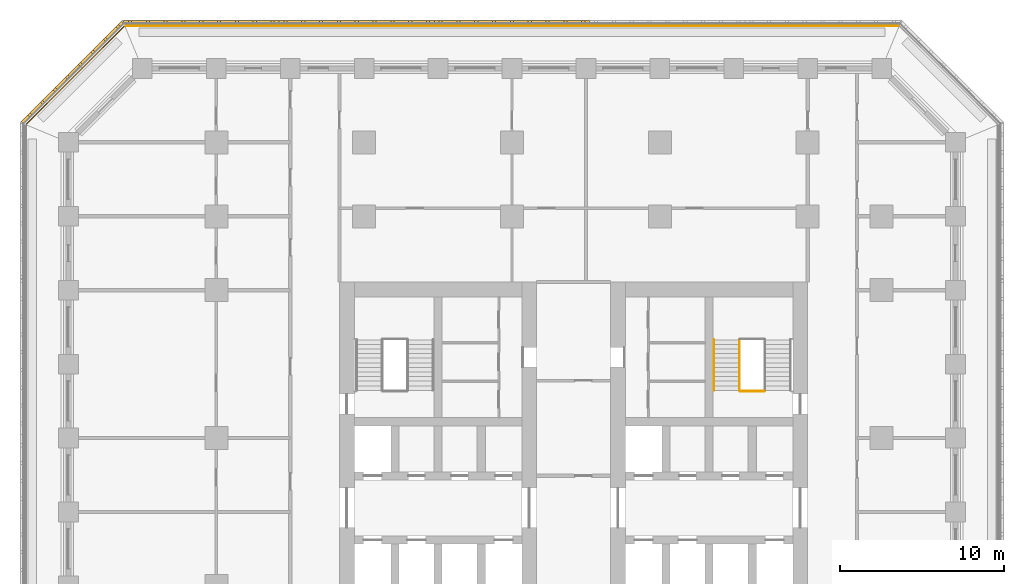
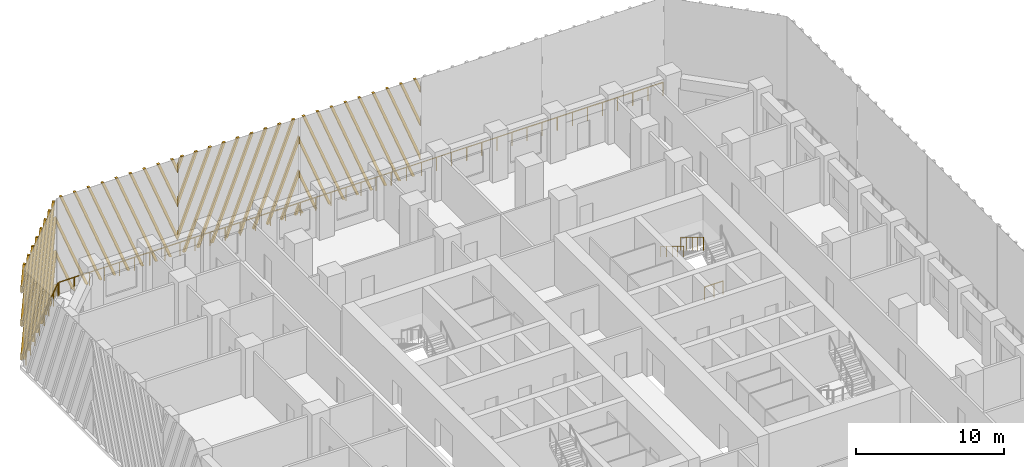
# One storey, part 16 of 19: 5 railings, 4 shading devices.
"""IFC4 building model written with IfcOpenShell, lengths in metres."""

from ifc_helpers import new_model, si_unit, direction, frame, origin, origin_2d, place, context, subcontext, project, spatial, polyline, circle, outline, extrude, source, transform, mapped, material, type_object, element, save


model = new_model("IFC4")

# Units and contexts
model_context = context("Model", 3, precision=1e-05, world=origin(), true_north=direction((0.0, 1.0)))
body_context = subcontext(model_context, "Body", "Model", "MODEL_VIEW")
ifc_project = project(units=[si_unit("LENGTHUNIT", "METRE"), si_unit("AREAUNIT", "SQUARE_METRE"), si_unit("VOLUMEUNIT", "CUBIC_METRE"), si_unit("PLANEANGLEUNIT", "RADIAN"), si_unit("MASSUNIT", "GRAM", prefix="KILO")], contexts=[model_context])

# Site, building, storey
site_placement = place(None, origin())
site = spatial("IfcSite", under=ifc_project, at=site_placement, CompositionType="ELEMENT")
building_placement = place(site_placement, origin())
building = spatial("IfcBuilding", under=site, at=building_placement, Name="Corbel Stack Research Tower", CompositionType="ELEMENT")
storey_placement = place(building_placement, frame((0.0, 0.0, 124.89990234375)))
storey = spatial("IfcBuildingStorey", under=building, at=storey_placement, Name="L28", CompositionType="ELEMENT", Elevation=124.89990234375)

# Railings
ifc_material_1 = material(Name="Steel S355", Category="steel")
railing_type_1 = type_object("IfcRailingType", Name="Stair guard 1100", PredefinedType="GUARDRAIL", material=ifc_material_1)
railing_1_placement = place(storey_placement, frame((13.85009765625, 14.97998046875, 2.220947265625)))
element("IfcRailing", 1, at=railing_1_placement, inside=storey, type_object=railing_type_1, Name="L28 ST-E2 stair guard 4", PredefinedType="GUARDRAIL", context=body_context, shape_type="SweptSolid", body=[
    extrude(circle(Radius=0.02392578125, at=origin_2d()), frame((0.0, 0.0, 1.076171875), z_axis=(0.0, -0.853666305674, 0.52082035152), x_axis=(1.0, 0.0, 0.0)), (0.0, 0.0, 1.0), 3.608154296875),
    extrude(circle(Radius=0.02099609375, at=origin_2d()), origin(), (0.0, 0.0, 1.0), 1.052001953125),
    extrude(circle(Radius=0.02099609375, at=origin_2d()), frame((0.0, -0.77001953125, 0.4697265625)), (0.0, 0.0, 1.0), 1.052001953125),
    extrude(circle(Radius=0.02099609375, at=origin_2d()), frame((0.0, -1.5400390625, 0.939453125)), (0.0, 0.0, 1.0), 1.052001953125),
    extrude(circle(Radius=0.02099609375, at=origin_2d()), frame((0.0, -2.31005859375, 1.409423828125)), (0.0, 0.0, 1.0), 1.052001953125),
    extrude(circle(Radius=0.02099609375, at=origin_2d()), frame((0.0, -3.080078125, 1.879150390625)), (0.0, 0.0, 1.0), 1.052001953125),
])
railing_2_placement = place(storey_placement, frame((15.35009765625, 11.85009765625, 0.0)))
element("IfcRailing", 2, at=railing_2_placement, inside=storey, type_object=railing_type_1, Name="L28 ST-E2 stair guard 5", PredefinedType="GUARDRAIL", context=body_context, shape_type="SweptSolid", body=[
    extrude(circle(Radius=0.02392578125, at=origin_2d()), frame((0.0, 0.0, 1.076171875), z_axis=(-1.0, 0.0, 0.0), x_axis=(0.0, -1.0, 0.0)), (0.0, 0.0, 1.0), 1.4501953125),
    extrude(circle(Radius=0.02099609375, at=origin_2d()), origin(), (0.0, 0.0, 1.0), 1.052001953125),
    extrude(circle(Radius=0.02099609375, at=origin_2d()), frame((-0.72509765625, 0.0, 0.0)), (0.0, 0.0, 1.0), 1.052001953125),
    extrude(circle(Radius=0.02099609375, at=origin_2d()), frame((-1.4501953125, 0.0, 0.0)), (0.0, 0.0, 1.0), 1.052001953125),
])
ifc_material_2 = material(Name="Steel S355", Category="steel")
railing_type_2 = type_object("IfcRailingType", Name="Stair handrail 900", PredefinedType="HANDRAIL", material=ifc_material_2)
railing_3_placement = place(storey_placement, frame((12.300048828125, 14.97998046875, 2.220947265625)))
element("IfcRailing", 3, at=railing_3_placement, inside=storey, type_object=railing_type_2, Name="L28 ST-E2 stair handrail 2", PredefinedType="HANDRAIL", context=body_context, shape_type="SweptSolid", body=[
    extrude(circle(Radius=0.02392578125, at=origin_2d()), frame((0.0, 0.0, 0.8759765625), z_axis=(0.0, -0.853666305674, 0.52082035152), x_axis=(1.0, 0.0, 0.0)), (0.0, 0.0, 1.0), 3.608154296875),
    extrude(circle(Radius=0.02099609375, at=origin_2d()), origin(), (0.0, 0.0, 1.0), 0.851806640625),
    extrude(circle(Radius=0.02099609375, at=origin_2d()), frame((0.0, -0.77001953125, 0.4697265625)), (0.0, 0.0, 1.0), 0.851806640625),
    extrude(circle(Radius=0.02099609375, at=origin_2d()), frame((0.0, -1.5400390625, 0.939453125)), (0.0, 0.0, 1.0), 0.851806640625),
    extrude(circle(Radius=0.02099609375, at=origin_2d()), frame((0.0, -2.31005859375, 1.409423828125)), (0.0, 0.0, 1.0), 0.851806640625),
    extrude(circle(Radius=0.02099609375, at=origin_2d()), frame((0.0, -3.080078125, 1.879150390625)), (0.0, 0.0, 1.0), 0.851806640625),
])
ifc_material_3 = material(Name="Powder-coated steel guard", Category="steel")
railing_type_3 = type_object("IfcRailingType", Name="Steel and glass guard 1100", PredefinedType="GUARDRAIL", material=ifc_material_3)
railing_4_placement = place(storey_placement, frame((23.50537109375, 34.10009765625, 0.0)))
element("IfcRailing", 4, at=railing_4_placement, inside=storey, type_object=railing_type_3, Name="Loggia guard L28 N", PredefinedType="GUARDRAIL", context=body_context, shape_type="SweptSolid", body=[
    extrude(circle(Radius=0.02392578125, at=origin_2d()), frame((0.0, 0.0, 1.076171875), z_axis=(-1.0, 0.0, 0.0), x_axis=(0.0, -1.0, 0.0)), (0.0, 0.0, 1.0), 47.0107421875),
    extrude(circle(Radius=0.02099609375, at=origin_2d()), origin(), (0.0, 0.0, 1.0), 1.052001953125),
    extrude(circle(Radius=0.02099609375, at=origin_2d()), frame((-1.17529296875, 0.0, 0.0)), (0.0, 0.0, 1.0), 1.052001953125),
    extrude(circle(Radius=0.02099609375, at=origin_2d()), frame((-2.3505859375, 0.0, 0.0)), (0.0, 0.0, 1.0), 1.052001953125),
    extrude(circle(Radius=0.02099609375, at=origin_2d()), frame((-3.52587890625, 0.0, 0.0)), (0.0, 0.0, 1.0), 1.052001953125),
    extrude(circle(Radius=0.02099609375, at=origin_2d()), frame((-4.701171875, 0.0, 0.0)), (0.0, 0.0, 1.0), 1.052001953125),
    extrude(circle(Radius=0.02099609375, at=origin_2d()), frame((-5.87646484375, 0.0, 0.0)), (0.0, 0.0, 1.0), 1.052001953125),
    extrude(circle(Radius=0.02099609375, at=origin_2d()), frame((-7.051513671875, 0.0, 0.0)), (0.0, 0.0, 1.0), 1.052001953125),
    extrude(circle(Radius=0.02099609375, at=origin_2d()), frame((-8.226806640625, 0.0, 0.0)), (0.0, 0.0, 1.0), 1.052001953125),
    extrude(circle(Radius=0.02099609375, at=origin_2d()), frame((-9.402099609375, 0.0, 0.0)), (0.0, 0.0, 1.0), 1.052001953125),
    extrude(circle(Radius=0.02099609375, at=origin_2d()), frame((-10.577392578125, 0.0, 0.0)), (0.0, 0.0, 1.0), 1.052001953125),
    extrude(circle(Radius=0.02099609375, at=origin_2d()), frame((-11.752685546875, 0.0, 0.0)), (0.0, 0.0, 1.0), 1.052001953125),
    extrude(circle(Radius=0.02099609375, at=origin_2d()), frame((-12.927978515625, 0.0, 0.0)), (0.0, 0.0, 1.0), 1.052001953125),
    extrude(circle(Radius=0.02099609375, at=origin_2d()), frame((-14.103271484375, 0.0, 0.0)), (0.0, 0.0, 1.0), 1.052001953125),
    extrude(circle(Radius=0.02099609375, at=origin_2d()), frame((-15.278564453125, 0.0, 0.0)), (0.0, 0.0, 1.0), 1.052001953125),
    extrude(circle(Radius=0.02099609375, at=origin_2d()), frame((-16.453857421875, 0.0, 0.0)), (0.0, 0.0, 1.0), 1.052001953125),
    extrude(circle(Radius=0.02099609375, at=origin_2d()), frame((-17.62890625, 0.0, 0.0)), (0.0, 0.0, 1.0), 1.052001953125),
    extrude(circle(Radius=0.02099609375, at=origin_2d()), frame((-18.80419921875, 0.0, 0.0)), (0.0, 0.0, 1.0), 1.052001953125),
    extrude(circle(Radius=0.02099609375, at=origin_2d()), frame((-19.9794921875, 0.0, 0.0)), (0.0, 0.0, 1.0), 1.052001953125),
    extrude(circle(Radius=0.02099609375, at=origin_2d()), frame((-21.15478515625, 0.0, 0.0)), (0.0, 0.0, 1.0), 1.052001953125),
    extrude(circle(Radius=0.02099609375, at=origin_2d()), frame((-22.330078125, 0.0, 0.0)), (0.0, 0.0, 1.0), 1.052001953125),
    extrude(circle(Radius=0.02099609375, at=origin_2d()), frame((-23.50537109375, 0.0, 0.0)), (0.0, 0.0, 1.0), 1.052001953125),
    extrude(circle(Radius=0.02099609375, at=origin_2d()), frame((-24.6806640625, 0.0, 0.0)), (0.0, 0.0, 1.0), 1.052001953125),
    extrude(circle(Radius=0.02099609375, at=origin_2d()), frame((-25.85595703125, 0.0, 0.0)), (0.0, 0.0, 1.0), 1.052001953125),
    extrude(circle(Radius=0.02099609375, at=origin_2d()), frame((-27.03125, 0.0, 0.0)), (0.0, 0.0, 1.0), 1.052001953125),
    extrude(circle(Radius=0.02099609375, at=origin_2d()), frame((-28.20654296875, 0.0, 0.0)), (0.0, 0.0, 1.0), 1.052001953125),
    extrude(circle(Radius=0.02099609375, at=origin_2d()), frame((-29.3818359375, 0.0, 0.0)), (0.0, 0.0, 1.0), 1.052001953125),
    extrude(circle(Radius=0.02099609375, at=origin_2d()), frame((-30.556884765625, 0.0, 0.0)), (0.0, 0.0, 1.0), 1.052001953125),
    extrude(circle(Radius=0.02099609375, at=origin_2d()), frame((-31.732177734375, 0.0, 0.0)), (0.0, 0.0, 1.0), 1.052001953125),
    extrude(circle(Radius=0.02099609375, at=origin_2d()), frame((-32.907470703125, 0.0, 0.0)), (0.0, 0.0, 1.0), 1.052001953125),
    extrude(circle(Radius=0.02099609375, at=origin_2d()), frame((-34.082763671875, 0.0, 0.0)), (0.0, 0.0, 1.0), 1.052001953125),
    extrude(circle(Radius=0.02099609375, at=origin_2d()), frame((-35.258056640625, 0.0, 0.0)), (0.0, 0.0, 1.0), 1.052001953125),
    extrude(circle(Radius=0.02099609375, at=origin_2d()), frame((-36.433349609375, 0.0, 0.0)), (0.0, 0.0, 1.0), 1.052001953125),
    extrude(circle(Radius=0.02099609375, at=origin_2d()), frame((-37.608642578125, 0.0, 0.0)), (0.0, 0.0, 1.0), 1.052001953125),
    extrude(circle(Radius=0.02099609375, at=origin_2d()), frame((-38.783935546875, 0.0, 0.0)), (0.0, 0.0, 1.0), 1.052001953125),
    extrude(circle(Radius=0.02099609375, at=origin_2d()), frame((-39.959228515625, 0.0, 0.0)), (0.0, 0.0, 1.0), 1.052001953125),
    extrude(circle(Radius=0.02099609375, at=origin_2d()), frame((-41.13427734375, 0.0, 0.0)), (0.0, 0.0, 1.0), 1.052001953125),
    extrude(circle(Radius=0.02099609375, at=origin_2d()), frame((-42.3095703125, 0.0, 0.0)), (0.0, 0.0, 1.0), 1.052001953125),
    extrude(circle(Radius=0.02099609375, at=origin_2d()), frame((-43.48486328125, 0.0, 0.0)), (0.0, 0.0, 1.0), 1.052001953125),
    extrude(circle(Radius=0.02099609375, at=origin_2d()), frame((-44.66015625, 0.0, 0.0)), (0.0, 0.0, 1.0), 1.052001953125),
    extrude(circle(Radius=0.02099609375, at=origin_2d()), frame((-45.83544921875, 0.0, 0.0)), (0.0, 0.0, 1.0), 1.052001953125),
    extrude(circle(Radius=0.02099609375, at=origin_2d()), frame((-47.0107421875, 0.0, 0.0)), (0.0, 0.0, 1.0), 1.052001953125),
])
railing_5_placement = place(storey_placement, frame((-23.627685546875, 34.04931640625, 0.0)))
element("IfcRailing", 5, at=railing_5_placement, inside=storey, type_object=railing_type_3, Name="Loggia guard L28 NW", PredefinedType="GUARDRAIL", context=body_context, shape_type="SweptSolid", body=[
    extrude(circle(Radius=0.02392578125, at=origin_2d()), frame((0.0, 0.0, 1.076171875), z_axis=(-0.707106781187, -0.707106781187, 0.0), x_axis=(0.707106781187, -0.707106781187, 0.0)), (0.0, 0.0, 1.0), 8.37451171875),
    extrude(circle(Radius=0.02099609375, at=origin_2d()), origin(), (0.0, 0.0, 1.0), 1.052001953125),
    extrude(circle(Radius=0.02099609375, at=origin_2d()), frame((-0.845947265625, -0.845947265625, 0.0)), (0.0, 0.0, 1.0), 1.052001953125),
    extrude(circle(Radius=0.02099609375, at=origin_2d()), frame((-1.69189453125, -1.69189453125, 0.0)), (0.0, 0.0, 1.0), 1.052001953125),
    extrude(circle(Radius=0.02099609375, at=origin_2d()), frame((-2.537841796875, -2.537841796875, 0.0)), (0.0, 0.0, 1.0), 1.052001953125),
    extrude(circle(Radius=0.02099609375, at=origin_2d()), frame((-3.3837890625, -3.3837890625, 0.0)), (0.0, 0.0, 1.0), 1.052001953125),
    extrude(circle(Radius=0.02099609375, at=origin_2d()), frame((-4.229736328125, -4.229736328125, 0.0)), (0.0, 0.0, 1.0), 1.052001953125),
    extrude(circle(Radius=0.02099609375, at=origin_2d()), frame((-5.07568359375, -5.07568359375, 0.0)), (0.0, 0.0, 1.0), 1.052001953125),
    extrude(circle(Radius=0.02099609375, at=origin_2d()), frame((-5.921630859375, -5.921630859375, 0.0)), (0.0, 0.0, 1.0), 1.052001953125),
])

# Shading devices
ifc_material_4 = material(Name="Precast terracotta", Category="masonry")
shading_device_type = type_object("IfcShadingDeviceType", Name="Terracotta screen panel", PredefinedType="USERDEFINED", material=ifc_material_4)
shared_shape_1 = source(origin(), body_context, "Body", "SweptSolid", [
    extrude(outline(polyline([(0.48828125, 7.949951171875), (0.298095703125, 7.949951171875), (0.0, 7.1865234375), (0.0, 6.699951171875), (0.48828125, 7.949951171875)])), frame((0.0, 0.0, 0.0), z_axis=(0.0, -1.0, 0.0), x_axis=(1.0, 0.0, 0.0)), (0.0, 0.0, 1.0), 0.179931640625),
    extrude(outline(polyline([(1.572998046875, 7.949951171875), (1.3828125, 7.949951171875), (0.0, 4.4091796875), (0.0, 3.922607421875), (1.572998046875, 7.949951171875)])), frame((0.0, 0.0, 0.0), z_axis=(0.0, -1.0, 0.0), x_axis=(1.0, 0.0, 0.0)), (0.0, 0.0, 1.0), 0.179931640625),
    extrude(outline(polyline([(2.657470703125, 7.949951171875), (2.467529296875, 7.949951171875), (0.0, 1.6318359375), (0.0, 1.1455078125), (2.657470703125, 7.949951171875)])), frame((0.0, 0.0, 0.0), z_axis=(0.0, -1.0, 0.0), x_axis=(1.0, 0.0, 0.0)), (0.0, 0.0, 1.0), 0.179931640625),
    extrude(outline(polyline([(0.63720703125, 0.0), (3.7421875, 7.949951171875), (3.55224609375, 7.949951171875), (0.447265625, 0.0), (0.63720703125, 0.0)])), frame((0.0, 0.0, 0.0), z_axis=(0.0, -1.0, 0.0), x_axis=(1.0, 0.0, 0.0)), (0.0, 0.0, 1.0), 0.179931640625),
    extrude(outline(polyline([(1.721923828125, 0.0), (4.826904296875, 7.949951171875), (4.636962890625, 7.949951171875), (1.531982421875, 0.0), (1.721923828125, 0.0)])), frame((0.0, 0.0, 0.0), z_axis=(0.0, -1.0, 0.0), x_axis=(1.0, 0.0, 0.0)), (0.0, 0.0, 1.0), 0.179931640625),
    extrude(outline(polyline([(2.806640625, 0.0), (5.91162109375, 7.949951171875), (5.721435546875, 7.949951171875), (2.61669921875, 0.0), (2.806640625, 0.0)])), frame((0.0, 0.0, 0.0), z_axis=(0.0, -1.0, 0.0), x_axis=(1.0, 0.0, 0.0)), (0.0, 0.0, 1.0), 0.179931640625),
    extrude(outline(polyline([(3.891357421875, 0.0), (6.99609375, 7.949951171875), (6.80615234375, 7.949951171875), (3.701416015625, 0.0), (3.891357421875, 0.0)])), frame((0.0, 0.0, 0.0), z_axis=(0.0, -1.0, 0.0), x_axis=(1.0, 0.0, 0.0)), (0.0, 0.0, 1.0), 0.179931640625),
    extrude(outline(polyline([(4.97607421875, 0.0), (8.080810546875, 7.949951171875), (7.890869140625, 7.949951171875), (4.785888671875, 0.0), (4.97607421875, 0.0)])), frame((0.0, 0.0, 0.0), z_axis=(0.0, -1.0, 0.0), x_axis=(1.0, 0.0, 0.0)), (0.0, 0.0, 1.0), 0.179931640625),
    extrude(outline(polyline([(6.060791015625, 0.0), (9.16552734375, 7.949951171875), (8.9755859375, 7.949951171875), (5.87060546875, 0.0), (6.060791015625, 0.0)])), frame((0.0, 0.0, 0.0), z_axis=(0.0, -1.0, 0.0), x_axis=(1.0, 0.0, 0.0)), (0.0, 0.0, 1.0), 0.179931640625),
    extrude(outline(polyline([(7.145263671875, 0.0), (9.45556640625, 5.91552734375), (9.45556640625, 6.402099609375), (6.955322265625, 0.0), (7.145263671875, 0.0)])), frame((0.0, 0.0, 0.0), z_axis=(0.0, -1.0, 0.0), x_axis=(1.0, 0.0, 0.0)), (0.0, 0.0, 1.0), 0.179931640625),
    extrude(outline(polyline([(8.22998046875, 0.0), (9.45556640625, 3.13818359375), (9.45556640625, 3.624755859375), (8.0400390625, 0.0), (8.22998046875, 0.0)])), frame((0.0, 0.0, 0.0), z_axis=(0.0, -1.0, 0.0), x_axis=(1.0, 0.0, 0.0)), (0.0, 0.0, 1.0), 0.179931640625),
    extrude(outline(polyline([(9.314697265625, 0.0), (9.45556640625, 0.361083984375), (9.45556640625, 0.847412109375), (9.124755859375, 0.0), (9.314697265625, 0.0)])), frame((0.0, 0.0, 0.0), z_axis=(0.0, -1.0, 0.0), x_axis=(1.0, 0.0, 0.0)), (0.0, 0.0, 1.0), 0.179931640625),
])
for number, where, z_axis, x_axis, name in (
    (6, (4.727783203125, 34.25, 0.0), (0.0, 0.0, 1.0), (-1.0, 0.0, 0.0), "Terracotta screen L28 N3"),
    (7, (-14.18359375, 34.25, 0.0), (0.0, 0.0, 1.0), (-1.0, 0.0, 0.0), "Terracotta screen L28 N5"),
):
    element("IfcShadingDevice", number, at=place(storey_placement, frame(where, z_axis=z_axis, x_axis=x_axis)), inside=storey, type_object=shading_device_type, Name=name, ObjectType="SCREEN", PredefinedType="USERDEFINED", context=body_context, shape_type="MappedRepresentation", body=[
        mapped(shared_shape_1, transform((0.0, 0.0, 0.0))),
    ])
shared_shape_2 = source(origin(), body_context, "Body", "SweptSolid", [
    extrude(outline(polyline([(0.3310546875, 0.0), (0.0, 0.847412109375), (0.0, 0.361083984375), (0.14111328125, 0.0), (0.3310546875, 0.0)])), frame((0.0, 0.0, 0.0), z_axis=(0.0, -1.0, 0.0), x_axis=(1.0, 0.0, 0.0)), (0.0, 0.0, 1.0), 0.179931640625),
    extrude(outline(polyline([(1.41552734375, 0.0), (0.0, 3.624755859375), (0.0, 3.13818359375), (1.2255859375, 0.0), (1.41552734375, 0.0)])), frame((0.0, 0.0, 0.0), z_axis=(0.0, -1.0, 0.0), x_axis=(1.0, 0.0, 0.0)), (0.0, 0.0, 1.0), 0.179931640625),
    extrude(outline(polyline([(2.500244140625, 0.0), (0.0, 6.402099609375), (0.0, 5.91552734375), (2.310302734375, 0.0), (2.500244140625, 0.0)])), frame((0.0, 0.0, 0.0), z_axis=(0.0, -1.0, 0.0), x_axis=(1.0, 0.0, 0.0)), (0.0, 0.0, 1.0), 0.179931640625),
    extrude(outline(polyline([(3.5849609375, 0.0), (0.47998046875, 7.949951171875), (0.2900390625, 7.949951171875), (3.39501953125, 0.0), (3.5849609375, 0.0)])), frame((0.0, 0.0, 0.0), z_axis=(0.0, -1.0, 0.0), x_axis=(1.0, 0.0, 0.0)), (0.0, 0.0, 1.0), 0.179931640625),
    extrude(outline(polyline([(4.669677734375, 0.0), (1.564697265625, 7.949951171875), (1.374755859375, 7.949951171875), (4.4794921875, 0.0), (4.669677734375, 0.0)])), frame((0.0, 0.0, 0.0), z_axis=(0.0, -1.0, 0.0), x_axis=(1.0, 0.0, 0.0)), (0.0, 0.0, 1.0), 0.179931640625),
    extrude(outline(polyline([(5.75439453125, 0.0), (2.6494140625, 7.949951171875), (2.45947265625, 7.949951171875), (5.564208984375, 0.0), (5.75439453125, 0.0)])), frame((0.0, 0.0, 0.0), z_axis=(0.0, -1.0, 0.0), x_axis=(1.0, 0.0, 0.0)), (0.0, 0.0, 1.0), 0.179931640625),
    extrude(outline(polyline([(6.839111328125, 0.0), (3.734130859375, 7.949951171875), (3.544189453125, 7.949951171875), (6.64892578125, 0.0), (6.839111328125, 0.0)])), frame((0.0, 0.0, 0.0), z_axis=(0.0, -1.0, 0.0), x_axis=(1.0, 0.0, 0.0)), (0.0, 0.0, 1.0), 0.179931640625),
    extrude(outline(polyline([(7.923583984375, 0.0), (4.81884765625, 7.949951171875), (4.62890625, 7.949951171875), (7.733642578125, 0.0), (7.923583984375, 0.0)])), frame((0.0, 0.0, 0.0), z_axis=(0.0, -1.0, 0.0), x_axis=(1.0, 0.0, 0.0)), (0.0, 0.0, 1.0), 0.179931640625),
    extrude(outline(polyline([(9.00830078125, 0.0), (5.903564453125, 7.949951171875), (5.71337890625, 7.949951171875), (8.818359375, 0.0), (9.00830078125, 0.0)])), frame((0.0, 0.0, 0.0), z_axis=(0.0, -1.0, 0.0), x_axis=(1.0, 0.0, 0.0)), (0.0, 0.0, 1.0), 0.179931640625),
    extrude(outline(polyline([(6.988037109375, 7.949951171875), (6.798095703125, 7.949951171875), (9.45556640625, 1.1455078125), (9.45556640625, 1.6318359375), (6.988037109375, 7.949951171875)])), frame((0.0, 0.0, 0.0), z_axis=(0.0, -1.0, 0.0), x_axis=(1.0, 0.0, 0.0)), (0.0, 0.0, 1.0), 0.179931640625),
    extrude(outline(polyline([(8.07275390625, 7.949951171875), (7.8828125, 7.949951171875), (9.45556640625, 3.922607421875), (9.45556640625, 4.4091796875), (8.07275390625, 7.949951171875)])), frame((0.0, 0.0, 0.0), z_axis=(0.0, -1.0, 0.0), x_axis=(1.0, 0.0, 0.0)), (0.0, 0.0, 1.0), 0.179931640625),
    extrude(outline(polyline([(9.157470703125, 7.949951171875), (8.96728515625, 7.949951171875), (9.45556640625, 6.699951171875), (9.45556640625, 7.1865234375), (9.157470703125, 7.949951171875)])), frame((0.0, 0.0, 0.0), z_axis=(0.0, -1.0, 0.0), x_axis=(1.0, 0.0, 0.0)), (0.0, 0.0, 1.0), 0.179931640625),
])
shading_device_1_placement = place(storey_placement, frame((-4.727783203125, 34.25, 0.0), z_axis=(0.0, 0.0, 1.0), x_axis=(-1.0, 0.0, 0.0)))
element("IfcShadingDevice", 8, at=shading_device_1_placement, inside=storey, type_object=shading_device_type, Name="Terracotta screen L28 N4", ObjectType="SCREEN", PredefinedType="USERDEFINED", context=body_context, shape_type="MappedRepresentation", body=[
    mapped(shared_shape_2, transform((0.0, 0.0, 0.0))),
])
shared_shape_3 = source(origin(), body_context, "Body", "SweptSolid", [
    extrude(outline(polyline([(0.3310546875, 0.0), (0.0, 0.847412109375), (0.0, 0.361083984375), (0.14111328125, 0.0), (0.3310546875, 0.0)])), frame((0.0, 0.0, 0.0), z_axis=(0.0, -1.0, 0.0), x_axis=(1.0, 0.0, 0.0)), (0.0, 0.0, 1.0), 0.179931640625),
    extrude(outline(polyline([(1.41552734375, 0.0), (0.0, 3.624755859375), (0.0, 3.13818359375), (1.2255859375, 0.0), (1.41552734375, 0.0)])), frame((0.0, 0.0, 0.0), z_axis=(0.0, -1.0, 0.0), x_axis=(1.0, 0.0, 0.0)), (0.0, 0.0, 1.0), 0.179931640625),
    extrude(outline(polyline([(2.500244140625, 0.0), (0.0, 6.402099609375), (0.0, 5.91552734375), (2.310302734375, 0.0), (2.500244140625, 0.0)])), frame((0.0, 0.0, 0.0), z_axis=(0.0, -1.0, 0.0), x_axis=(1.0, 0.0, 0.0)), (0.0, 0.0, 1.0), 0.179931640625),
    extrude(outline(polyline([(3.5849609375, 0.0), (0.47998046875, 7.949951171875), (0.2900390625, 7.949951171875), (3.39501953125, 0.0), (3.5849609375, 0.0)])), frame((0.0, 0.0, 0.0), z_axis=(0.0, -1.0, 0.0), x_axis=(1.0, 0.0, 0.0)), (0.0, 0.0, 1.0), 0.179931640625),
    extrude(outline(polyline([(4.669677734375, 0.0), (1.564697265625, 7.949951171875), (1.374755859375, 7.949951171875), (4.4794921875, 0.0), (4.669677734375, 0.0)])), frame((0.0, 0.0, 0.0), z_axis=(0.0, -1.0, 0.0), x_axis=(1.0, 0.0, 0.0)), (0.0, 0.0, 1.0), 0.179931640625),
    extrude(outline(polyline([(5.75439453125, 0.0), (2.6494140625, 7.949951171875), (2.45947265625, 7.949951171875), (5.564208984375, 0.0), (5.75439453125, 0.0)])), frame((0.0, 0.0, 0.0), z_axis=(0.0, -1.0, 0.0), x_axis=(1.0, 0.0, 0.0)), (0.0, 0.0, 1.0), 0.179931640625),
    extrude(outline(polyline([(6.839111328125, 0.0), (3.734130859375, 7.949951171875), (3.544189453125, 7.949951171875), (6.64892578125, 0.0), (6.839111328125, 0.0)])), frame((0.0, 0.0, 0.0), z_axis=(0.0, -1.0, 0.0), x_axis=(1.0, 0.0, 0.0)), (0.0, 0.0, 1.0), 0.179931640625),
    extrude(outline(polyline([(7.923583984375, 0.0), (4.81884765625, 7.949951171875), (4.62890625, 7.949951171875), (7.733642578125, 0.0), (7.923583984375, 0.0)])), frame((0.0, 0.0, 0.0), z_axis=(0.0, -1.0, 0.0), x_axis=(1.0, 0.0, 0.0)), (0.0, 0.0, 1.0), 0.179931640625),
    extrude(outline(polyline([(5.903564453125, 7.949951171875), (5.71337890625, 7.949951171875), (8.64208984375, 0.451171875), (8.64208984375, 0.9375), (5.903564453125, 7.949951171875)])), frame((0.0, 0.0, 0.0), z_axis=(0.0, -1.0, 0.0), x_axis=(1.0, 0.0, 0.0)), (0.0, 0.0, 1.0), 0.179931640625),
    extrude(outline(polyline([(6.988037109375, 7.949951171875), (6.798095703125, 7.949951171875), (8.64208984375, 3.228515625), (8.64208984375, 3.71484375), (6.988037109375, 7.949951171875)])), frame((0.0, 0.0, 0.0), z_axis=(0.0, -1.0, 0.0), x_axis=(1.0, 0.0, 0.0)), (0.0, 0.0, 1.0), 0.179931640625),
    extrude(outline(polyline([(8.07275390625, 7.949951171875), (7.8828125, 7.949951171875), (8.64208984375, 6.005615234375), (8.64208984375, 6.4921875), (8.07275390625, 7.949951171875)])), frame((0.0, 0.0, 0.0), z_axis=(0.0, -1.0, 0.0), x_axis=(1.0, 0.0, 0.0)), (0.0, 0.0, 1.0), 0.179931640625),
])
shading_device_2_placement = place(storey_placement, frame((-23.63916015625, 34.25, 0.0), z_axis=(0.0, 0.0, 1.0), x_axis=(-0.707106781187, -0.707106781187, 0.0)))
element("IfcShadingDevice", 9, at=shading_device_2_placement, inside=storey, type_object=shading_device_type, Name="Terracotta screen L28 NW1", ObjectType="SCREEN", PredefinedType="USERDEFINED", context=body_context, shape_type="MappedRepresentation", body=[
    mapped(shared_shape_3, transform((0.0, 0.0, 0.0))),
])

save(model, "model.ifc")
